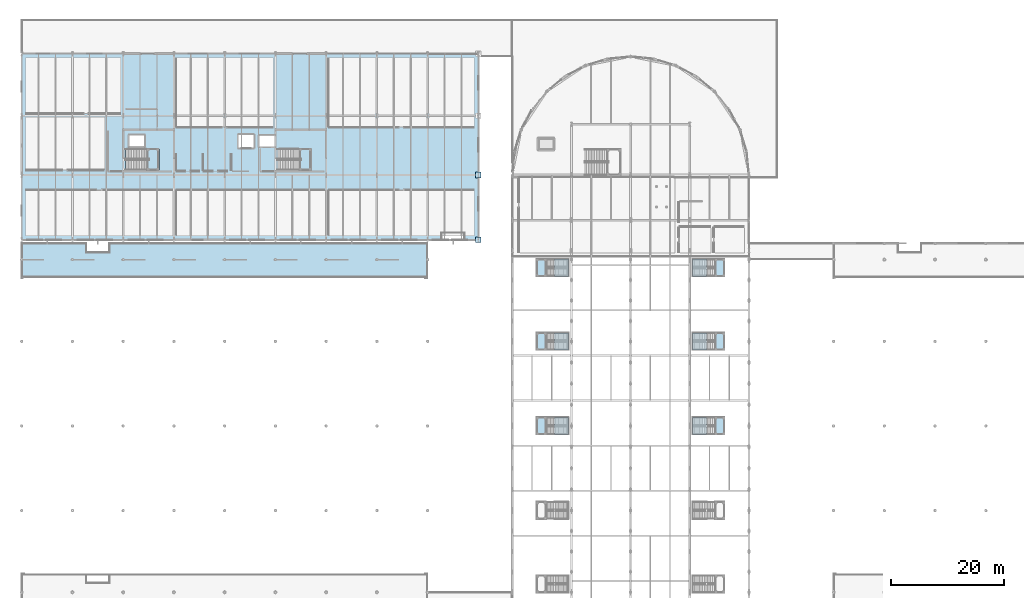
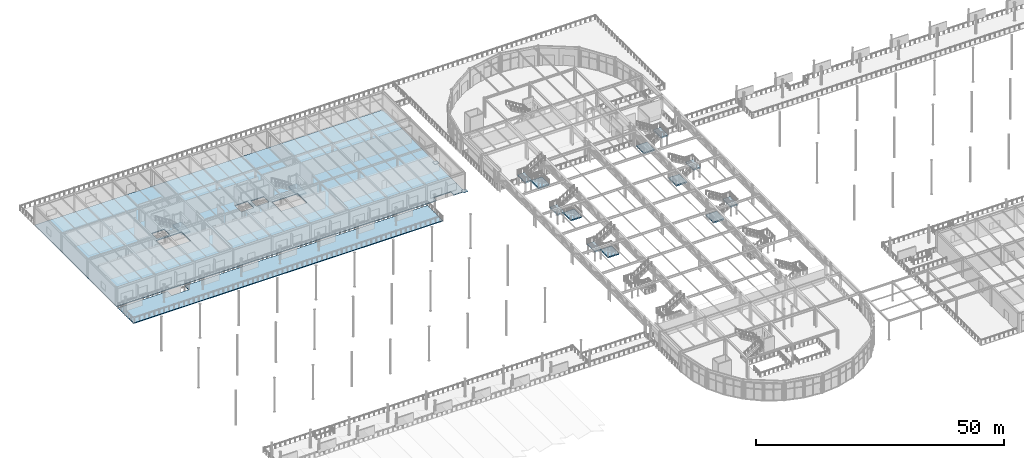
# One storey, part 73 of 143: 16 slabs, 2 plates, 8 elements without a shape of their own.
"""IFC4 building model written with IfcOpenShell, lengths in metres."""

from ifc_helpers import new_model, si_unit, direction, frame, origin, origin_2d, place, context, subcontext, project, spatial, polyline, rectangle, outline, extrude, material, layer, layer_set, type_object, element, aggregate, save


model = new_model("IFC4")

# Units and contexts
model_context = context("Model", 3, precision=1e-05, world=origin(), true_north=direction((0.0, 1.0)))
body_context = subcontext(model_context, "Body", "Model", "MODEL_VIEW")
ifc_project = project(units=[si_unit("LENGTHUNIT", "METRE"), si_unit("AREAUNIT", "SQUARE_METRE"), si_unit("VOLUMEUNIT", "CUBIC_METRE"), si_unit("PLANEANGLEUNIT", "RADIAN"), si_unit("MASSUNIT", "GRAM", prefix="KILO")], contexts=[model_context])

# Site, building, storey
site_placement = place(None, origin())
site = spatial("IfcSite", under=ifc_project, at=site_placement, CompositionType="ELEMENT")
building_placement = place(site_placement, origin())
building = spatial("IfcBuilding", under=site, at=building_placement, Name="Marlcrest Central Station", CompositionType="ELEMENT")
storey_placement = place(building_placement, frame((0.0, 0.0, 4.800048828125)))
storey = spatial("IfcBuildingStorey", under=building, at=storey_placement, Name="L01", CompositionType="ELEMENT", Elevation=4.800048828125)

# Plates
ifc_material_1 = material(Name="Steel S355", Category="steel")
ifc_layer_1 = layer(ifc_material_1, 0.0380859375, Name="BPL-02")
ifc_layer_set_1 = layer_set([ifc_layer_1], Name="Steel S355")
plate_type = type_object("IfcPlateType", Name="BPL-02", PredefinedType="USERDEFINED", material=ifc_layer_set_1)
for number, where, z_axis, x_axis, name in (
    (1, (81.0, 99.0, 0.0), (0.0, 0.0, 1.0), (1.0, 0.0, 0.0), "plt-bp-00040"),
    (2, (81.0, 110.5, 0.0), (0.0, 0.0, 1.0), (1.0, 0.0, 0.0), "plt-bp-00041"),
):
    element("IfcPlate", number, at=place(storey_placement, frame(where, z_axis=z_axis, x_axis=x_axis)), inside=storey, type_object=plate_type, Name=name, ObjectType="BASE_PLATE", PredefinedType="USERDEFINED", context=body_context, shape_type="SweptSolid", body=[
        extrude(rectangle(XDim=1.0, YDim=1.0, at=origin_2d()), origin(), (0.0, 0.0, 1.0), 0.0380859375),
    ])

# Slabs
ifc_material_2 = material(Name="Concrete C35/45", Category="concrete")
ifc_layer_2 = layer(ifc_material_2, 0.18994140625, Name="FS-02")
ifc_layer_set_2 = layer_set([ifc_layer_2], Name="Concrete C35/45")
slab_type_1 = type_object("IfcSlabType", Name="FS-02", PredefinedType="FLOOR", material=ifc_layer_set_2)
slab_1_placement = place(storey_placement, frame((0.0, 0.0, -0.18994140625)))
element("IfcSlab", 3, at=slab_1_placement, inside=storey, type_object=slab_type_1, Name="slab-L01-0003", PredefinedType="FLOOR", context=body_context, shape_type="SweptSolid", body=[
    extrude(outline(polyline([(0.0, 99.0), (74.5, 99.0), (74.5, 100.199951171875), (78.5, 100.199951171875), (78.5, 99.0), (81.0, 99.0), (81.0, 132.0), (0.0, 132.0), (0.0, 99.0)]), holes=[polyline([(18.449951171875, 111.39990234375), (24.39990234375, 111.39990234375), (24.39990234375, 115.10009765625), (18.449951171875, 115.10009765625), (18.449951171875, 111.39990234375)]), polyline([(18.919921875, 115.52001953125), (21.8798828125, 115.52001953125), (21.8798828125, 117.679931640625), (18.919921875, 117.679931640625), (18.919921875, 115.52001953125)]), polyline([(45.449951171875, 111.39990234375), (51.39990234375, 111.39990234375), (51.39990234375, 115.10009765625), (45.449951171875, 115.10009765625), (45.449951171875, 111.39990234375)]), polyline([(42.02001953125, 115.419921875), (44.97998046875, 115.419921875), (44.97998046875, 117.580078125), (42.02001953125, 117.580078125), (42.02001953125, 115.419921875)]), polyline([(38.320068359375, 115.219970703125), (41.280029296875, 115.219970703125), (41.280029296875, 117.780029296875), (38.320068359375, 117.780029296875), (38.320068359375, 115.219970703125)])]), origin(), (0.0, 0.0, 1.0), 0.18994140625),
])
slab_2_placement = place(storey_placement, frame((0.0, 0.0, -0.18994140625)))
element("IfcSlab", 4, at=slab_2_placement, inside=storey, type_object=slab_type_1, Name="slab-L01-0085", PredefinedType="FLOOR", context=body_context, shape_type="SweptSolid", body=[
    extrude(outline(polyline([(0.0, 92.199951171875), (72.0, 92.199951171875), (72.0, 98.39990234375), (15.5, 98.39990234375), (15.5, 96.800048828125), (11.5, 96.800048828125), (11.5, 98.39990234375), (0.0, 98.39990234375), (0.0, 92.199951171875)])), origin(), (0.0, 0.0, 1.0), 0.18994140625),
])
ifc_layer_3 = layer(ifc_material_2, 0.320068359375, Name="LS-01")
ifc_layer_set_3 = layer_set([ifc_layer_3], Name="Concrete C35/45")
slab_type_2 = type_object("IfcSlabType", Name="LS-01", PredefinedType="LANDING", material=ifc_layer_set_3)
slab_3_placement = place(storey_placement, frame((0.0, 0.0, -0.320068359375)))
element("IfcSlab", 5, at=slab_3_placement, inside=storey, type_object=slab_type_2, Name="ST-P3W-LT", PredefinedType="LANDING", context=body_context, shape_type="SweptSolid", body=[
    extrude(outline(polyline([(94.5, 64.469970703125), (97.0, 64.469970703125), (97.0, 67.530029296875), (94.5, 67.530029296875), (94.5, 64.469970703125)])), origin(), (0.0, 0.0, 1.0), 0.320068359375),
])

# Stair, slab
stair_type_1 = type_object("IfcStairType", Name="ST-HTP", PredefinedType="HALF_TURN_STAIR", material=ifc_material_2)
stair_1_placement = place(storey_placement, origin())
stair_1 = element("IfcStair", 6, at=stair_1_placement, inside=storey, type_object=stair_type_1, Name="ST-P3WU", PredefinedType="HALF_TURN_STAIR")
slab_4_placement = place(storey_placement, frame((0.0, 0.0, 2.179931640625)))
slab_4 = element("IfcSlab", 7, at=slab_4_placement, type_object=slab_type_2, Name="ST-P3WU-L1", PredefinedType="LANDING", context=body_context, shape_type="SweptSolid", body=[
    extrude(outline(polyline([(91.340087890625, 64.469970703125), (93.02001953125, 64.469970703125), (93.02001953125, 67.530029296875), (91.340087890625, 67.530029296875), (91.340087890625, 64.469970703125)])), origin(), (0.0, 0.0, 1.0), 0.320068359375),
])
aggregate(stair_1, [slab_4])

# Slab
slab_5_placement = place(storey_placement, frame((0.0, 0.0, -0.320068359375)))
element("IfcSlab", 8, at=slab_5_placement, inside=storey, type_object=slab_type_2, Name="ST-P3E-LT", PredefinedType="LANDING", context=body_context, shape_type="SweptSolid", body=[
    extrude(outline(polyline([(119.0, 64.469970703125), (121.5, 64.469970703125), (121.5, 67.530029296875), (119.0, 67.530029296875), (119.0, 64.469970703125)])), origin(), (0.0, 0.0, 1.0), 0.320068359375),
])

# Stair, slab
stair_2_placement = place(storey_placement, origin())
stair_2 = element("IfcStair", 9, at=stair_2_placement, inside=storey, type_object=stair_type_1, Name="ST-P3EU", PredefinedType="HALF_TURN_STAIR")
slab_6_placement = place(storey_placement, frame((0.0, 0.0, 2.179931640625)))
slab_6 = element("IfcSlab", 10, at=slab_6_placement, type_object=slab_type_2, Name="ST-P3EU-L1", PredefinedType="LANDING", context=body_context, shape_type="SweptSolid", body=[
    extrude(outline(polyline([(122.97998046875, 64.469970703125), (124.659912109375, 64.469970703125), (124.659912109375, 67.530029296875), (122.97998046875, 67.530029296875), (122.97998046875, 64.469970703125)])), origin(), (0.0, 0.0, 1.0), 0.320068359375),
])
aggregate(stair_2, [slab_6])

# Slab
slab_7_placement = place(storey_placement, frame((0.0, 0.0, -0.320068359375)))
element("IfcSlab", 11, at=slab_7_placement, inside=storey, type_object=slab_type_2, Name="ST-P4W-LT", PredefinedType="LANDING", context=body_context, shape_type="SweptSolid", body=[
    extrude(outline(polyline([(94.5, 79.469970703125), (97.0, 79.469970703125), (97.0, 82.530029296875), (94.5, 82.530029296875), (94.5, 79.469970703125)])), origin(), (0.0, 0.0, 1.0), 0.320068359375),
])

# Stair, slab
stair_3_placement = place(storey_placement, origin())
stair_3 = element("IfcStair", 12, at=stair_3_placement, inside=storey, type_object=stair_type_1, Name="ST-P4WU", PredefinedType="HALF_TURN_STAIR")
slab_8_placement = place(storey_placement, frame((0.0, 0.0, 2.179931640625)))
slab_8 = element("IfcSlab", 13, at=slab_8_placement, type_object=slab_type_2, Name="ST-P4WU-L1", PredefinedType="LANDING", context=body_context, shape_type="SweptSolid", body=[
    extrude(outline(polyline([(91.340087890625, 79.469970703125), (93.02001953125, 79.469970703125), (93.02001953125, 82.530029296875), (91.340087890625, 82.530029296875), (91.340087890625, 79.469970703125)])), origin(), (0.0, 0.0, 1.0), 0.320068359375),
])
aggregate(stair_3, [slab_8])

# Slab
slab_9_placement = place(storey_placement, frame((0.0, 0.0, -0.320068359375)))
element("IfcSlab", 14, at=slab_9_placement, inside=storey, type_object=slab_type_2, Name="ST-P4E-LT", PredefinedType="LANDING", context=body_context, shape_type="SweptSolid", body=[
    extrude(outline(polyline([(119.0, 79.469970703125), (121.5, 79.469970703125), (121.5, 82.530029296875), (119.0, 82.530029296875), (119.0, 79.469970703125)])), origin(), (0.0, 0.0, 1.0), 0.320068359375),
])

# Stair, slab
stair_4_placement = place(storey_placement, origin())
stair_4 = element("IfcStair", 15, at=stair_4_placement, inside=storey, type_object=stair_type_1, Name="ST-P4EU", PredefinedType="HALF_TURN_STAIR")
slab_10_placement = place(storey_placement, frame((0.0, 0.0, 2.179931640625)))
slab_10 = element("IfcSlab", 16, at=slab_10_placement, type_object=slab_type_2, Name="ST-P4EU-L1", PredefinedType="LANDING", context=body_context, shape_type="SweptSolid", body=[
    extrude(outline(polyline([(122.97998046875, 79.469970703125), (124.659912109375, 79.469970703125), (124.659912109375, 82.530029296875), (122.97998046875, 82.530029296875), (122.97998046875, 79.469970703125)])), origin(), (0.0, 0.0, 1.0), 0.320068359375),
])
aggregate(stair_4, [slab_10])

# Slab
slab_11_placement = place(storey_placement, frame((0.0, 0.0, -0.320068359375)))
element("IfcSlab", 17, at=slab_11_placement, inside=storey, type_object=slab_type_2, Name="ST-P5W-LT", PredefinedType="LANDING", context=body_context, shape_type="SweptSolid", body=[
    extrude(outline(polyline([(94.5, 92.52001953125), (97.0, 92.52001953125), (97.0, 95.580078125), (94.5, 95.580078125), (94.5, 92.52001953125)])), origin(), (0.0, 0.0, 1.0), 0.320068359375),
])

# Stair, slab
stair_5_placement = place(storey_placement, origin())
stair_5 = element("IfcStair", 18, at=stair_5_placement, inside=storey, type_object=stair_type_1, Name="ST-P5WU", PredefinedType="HALF_TURN_STAIR")
slab_12_placement = place(storey_placement, frame((0.0, 0.0, 2.179931640625)))
slab_12 = element("IfcSlab", 19, at=slab_12_placement, type_object=slab_type_2, Name="ST-P5WU-L1", PredefinedType="LANDING", context=body_context, shape_type="SweptSolid", body=[
    extrude(outline(polyline([(91.340087890625, 92.52001953125), (93.02001953125, 92.52001953125), (93.02001953125, 95.580078125), (91.340087890625, 95.580078125), (91.340087890625, 92.52001953125)])), origin(), (0.0, 0.0, 1.0), 0.320068359375),
])
aggregate(stair_5, [slab_12])

# Slab
slab_13_placement = place(storey_placement, frame((0.0, 0.0, -0.320068359375)))
element("IfcSlab", 20, at=slab_13_placement, inside=storey, type_object=slab_type_2, Name="ST-P5E-LT", PredefinedType="LANDING", context=body_context, shape_type="SweptSolid", body=[
    extrude(outline(polyline([(119.0, 92.52001953125), (121.5, 92.52001953125), (121.5, 95.580078125), (119.0, 95.580078125), (119.0, 92.52001953125)])), origin(), (0.0, 0.0, 1.0), 0.320068359375),
])

# Stair, slab
stair_6_placement = place(storey_placement, origin())
stair_6 = element("IfcStair", 21, at=stair_6_placement, inside=storey, type_object=stair_type_1, Name="ST-P5EU", PredefinedType="HALF_TURN_STAIR")
slab_14_placement = place(storey_placement, frame((0.0, 0.0, 2.179931640625)))
slab_14 = element("IfcSlab", 22, at=slab_14_placement, type_object=slab_type_2, Name="ST-P5EU-L1", PredefinedType="LANDING", context=body_context, shape_type="SweptSolid", body=[
    extrude(outline(polyline([(122.97998046875, 92.52001953125), (124.659912109375, 92.52001953125), (124.659912109375, 95.580078125), (122.97998046875, 95.580078125), (122.97998046875, 92.52001953125)])), origin(), (0.0, 0.0, 1.0), 0.320068359375),
])
aggregate(stair_6, [slab_14])

stair_type_2 = type_object("IfcStairType", Name="ST-HTS", PredefinedType="HALF_TURN_STAIR", material=ifc_material_2)
stair_7_placement = place(storey_placement, origin())
stair_7 = element("IfcStair", 23, at=stair_7_placement, inside=storey, type_object=stair_type_2, Name="ST-W11", PredefinedType="HALF_TURN_STAIR")
slab_15_placement = place(storey_placement, frame((0.0, 0.0, 2.179931640625)))
slab_15 = element("IfcSlab", 24, at=slab_15_placement, type_object=slab_type_2, Name="ST-W11-L1", PredefinedType="LANDING", context=body_context, shape_type="SweptSolid", body=[
    extrude(outline(polyline([(22.280029296875, 111.3701171875), (24.280029296875, 111.3701171875), (24.280029296875, 115.1298828125), (22.280029296875, 115.1298828125), (22.280029296875, 113.31005859375), (22.530029296875, 113.31005859375), (22.530029296875, 113.18994140625), (22.280029296875, 113.18994140625), (22.280029296875, 111.3701171875)])), origin(), (0.0, 0.0, 1.0), 0.320068359375),
])
aggregate(stair_7, [slab_15])

stair_8_placement = place(storey_placement, origin())
stair_8 = element("IfcStair", 25, at=stair_8_placement, inside=storey, type_object=stair_type_2, Name="ST-W21", PredefinedType="HALF_TURN_STAIR")
slab_16_placement = place(storey_placement, frame((0.0, 0.0, 2.179931640625)))
slab_16 = element("IfcSlab", 26, at=slab_16_placement, type_object=slab_type_2, Name="ST-W21-L1", PredefinedType="LANDING", context=body_context, shape_type="SweptSolid", body=[
    extrude(outline(polyline([(49.280029296875, 111.3701171875), (51.280029296875, 111.3701171875), (51.280029296875, 115.1298828125), (49.280029296875, 115.1298828125), (49.280029296875, 113.31005859375), (49.530029296875, 113.31005859375), (49.530029296875, 113.18994140625), (49.280029296875, 113.18994140625), (49.280029296875, 111.3701171875)])), origin(), (0.0, 0.0, 1.0), 0.320068359375),
])
aggregate(stair_8, [slab_16])

save(model, "model.ifc")
